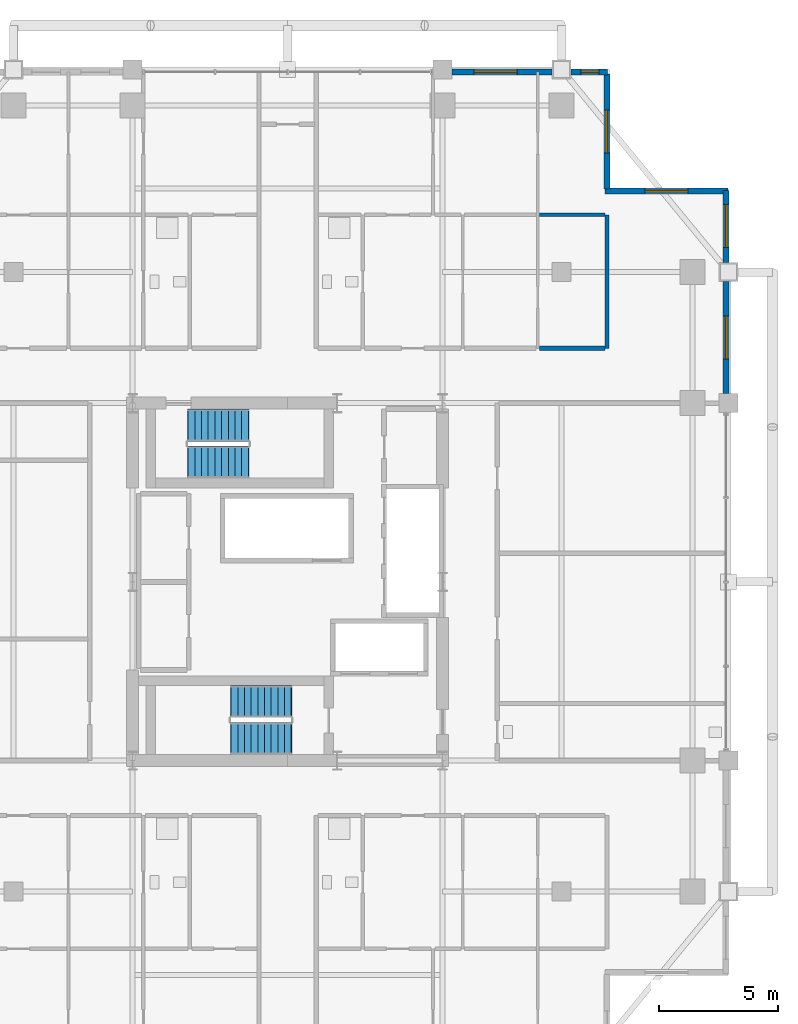
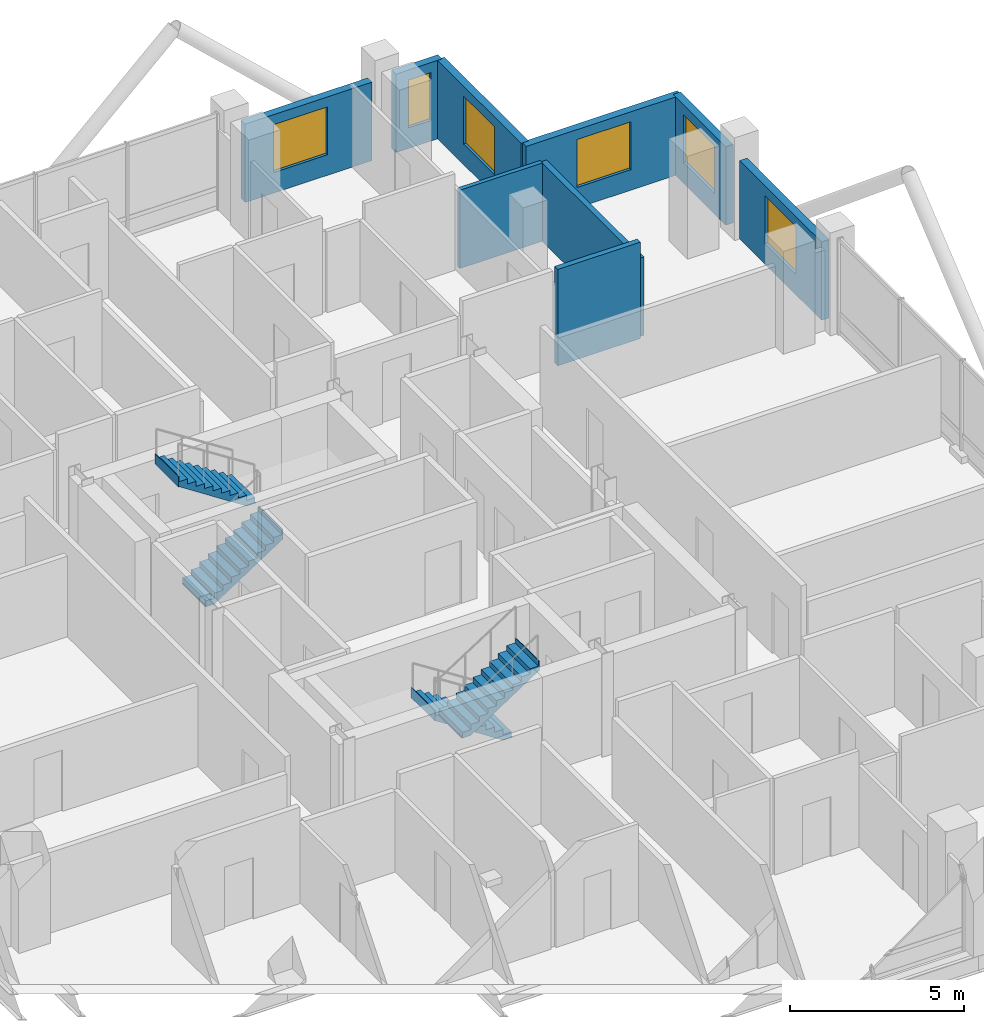
# One storey, part 24 of 26: 9 walls, 6 windows, 4 stair flights, 6 openings, 2 elements without a shape of their own.
"""IFC4 building model written with IfcOpenShell, lengths in metres."""

from ifc_helpers import new_model, si_unit, direction, frame, frame_2d, origin, place, context, subcontext, project, spatial, polyline, rectangle, outline, extrude, material, layer, layer_set, type_object, element, fill, aggregate, save


model = new_model("IFC4")

# Units and contexts
model_context = context("Model", 3, precision=1e-05, world=origin(), true_north=direction((0.0, 1.0)))
body_context = subcontext(model_context, "Body", "Model", "MODEL_VIEW")
ifc_project = project(units=[si_unit("LENGTHUNIT", "METRE"), si_unit("AREAUNIT", "SQUARE_METRE"), si_unit("VOLUMEUNIT", "CUBIC_METRE"), si_unit("PLANEANGLEUNIT", "RADIAN"), si_unit("MASSUNIT", "GRAM", prefix="KILO")], contexts=[model_context])

# Site, building, storey
site_placement = place(None, origin())
site = spatial("IfcSite", under=ifc_project, at=site_placement, CompositionType="ELEMENT")
building_placement = place(site_placement, origin())
building = spatial("IfcBuilding", under=site, at=building_placement, Name="Barlavira Tower and Art Museum", CompositionType="ELEMENT")
storey_placement = place(building_placement, frame((0.0, 0.0, 198.0)))
storey = spatial("IfcBuildingStorey", under=building, at=storey_placement, Name="L51", CompositionType="ELEMENT", Elevation=198.0)

# Walls
ifc_material_1 = material(Name="Gypsum acoustic stud partition", Category="gypsum")
ifc_layer_1 = layer(ifc_material_1, 0.179931640625, Name="Gypsum acoustic stud partition")
ifc_layer_set_1 = layer_set([ifc_layer_1], Name="Gypsum acoustic stud partition")
wall_type_1 = type_object("IfcWallType", Name="Inter-Tenancy Party Partition Wall 180", PredefinedType="PARTITIONING", material=ifc_layer_set_1)
wall_1_placement = place(storey_placement, frame((13.39990234375, 9.800048828125, 0.0), z_axis=(0.0, 0.0, 1.0), x_axis=(0.0, 1.0, 0.0)))
element("IfcWall", 1, at=wall_1_placement, inside=storey, type_object=wall_type_1, Name="L51 Partition Wall 27", PredefinedType="PARTITIONING", context=body_context, shape_type="SweptSolid", body=[
    extrude(rectangle(XDim=5.599853515625, YDim=0.179931640625, at=frame_2d((2.7998046875, 0.0))), origin(), (0.0, 0.0, 1.0), 2.748046875),
])
wall_2_placement = place(storey_placement, frame((10.580078125, 9.800048828125, 0.0), z_axis=(0.0, 0.0, 1.0), x_axis=(1.0, 0.0, 0.0)))
element("IfcWall", 2, at=wall_2_placement, inside=storey, type_object=wall_type_1, Name="L51 Partition Wall 65", PredefinedType="PARTITIONING", context=body_context, shape_type="SweptSolid", body=[
    extrude(rectangle(XDim=2.739990234375, YDim=0.179931640625, at=frame_2d((1.3701171875, 0.0))), origin(), (0.0, 0.0, 1.0), 3.3798828125),
])
ifc_layer_2 = layer(ifc_material_1, 0.139892578125, Name="Gypsum acoustic stud partition")
ifc_layer_set_2 = layer_set([ifc_layer_2], Name="Gypsum acoustic stud partition")
wall_type_2 = type_object("IfcWallType", Name="Moisture-Resistant Bathroom Partition 140", PredefinedType="PARTITIONING", material=ifc_layer_set_2)
wall_3_placement = place(storey_placement, frame((10.580078125, 15.39990234375, 0.0), z_axis=(0.0, 0.0, 1.0), x_axis=(1.0, 0.0, 0.0)))
element("IfcWall", 3, at=wall_3_placement, inside=storey, type_object=wall_type_2, Name="L51 Partition Wall 74", PredefinedType="PARTITIONING", context=body_context, shape_type="SweptSolid", body=[
    extrude(rectangle(XDim=2.739990234375, YDim=0.139892578125, at=frame_2d((1.3701171875, 0.0))), origin(), (0.0, 0.0, 1.0), 2.748046875),
])

# Wall, opening, window
ifc_material_2 = material(Name="Precast concrete C40", Category="concrete")
ifc_layer_3 = layer(ifc_material_2, 0.25, Name="Precast concrete C40")
ifc_layer_set_3 = layer_set([ifc_layer_3], Name="Precast concrete C40")
wall_type_3 = type_object("IfcWallType", Name="Notched Corner Spandrel Wall 250 Precast Concrete C40", PredefinedType="SOLIDWALL", material=ifc_layer_set_3)
wall_4_placement = place(storey_placement, frame((13.425048828125, 21.39990234375, 0.0), z_axis=(0.0, 0.0, 1.0), x_axis=(-1.0, 0.0, 0.0)))
wall_4 = element("IfcWall", 4, at=wall_4_placement, inside=storey, type_object=wall_type_3, Name="L51 Coastal Facade Pier Wall CW3-L51-N-1", PredefinedType="SOLIDWALL", context=body_context, shape_type="SweptSolid", body=[
    extrude(rectangle(XDim=1.530029296875, YDim=0.25, at=frame_2d((0.76513671875, 0.0))), origin(), (0.0, 0.0, 1.0), 2.748046875),
])
opening_1_placement = place(wall_4_placement, frame((0.363037109375, 0.0, 0.719970703125)))
opening_1 = element("IfcOpeningElement", 5, at=opening_1_placement, cuts=wall_4, Name="Opening WN-06", PredefinedType="OPENING", context=body_context, shape_type="SweptSolid", body=[
    extrude(rectangle(XDim=0.760009765625, YDim=1.679931640625, at=frame_2d((0.3798828125, 0.83984375))), frame((0.0, 0.135009765625, 0.0), z_axis=(0.0, -1.0, 0.0), x_axis=(1.0, 0.0, 0.0)), (0.0, 0.0, 1.0), 0.27001953125),
])
ifc_material_3 = material(Name="Low-iron coastal laminated glass", Category="glass")
window_type_1 = type_object("IfcWindowType", Name="Recessed Narrow Pier Window 760x1680", PartitioningType="SINGLE_PANEL", PredefinedType="WINDOW", material=ifc_material_3)
window_1_placement = place(opening_1_placement, origin())
window_1 = element("IfcWindow", 6, at=window_1_placement, inside=storey, type_object=window_type_1, Name="L51 Punched Facade Window EWP-CW3-L51-N-1-1", OverallHeight=1.679931640625, OverallWidth=0.760009765625, PartitioningType="SINGLE_PANEL", PredefinedType="WINDOW", context=body_context, shape_type="SweptSolid", body=[
    extrude(rectangle(XDim=0.760009765625, YDim=1.679931640625, at=frame_2d((0.3798828125, 0.83984375))), frame((0.0, 0.030029296875, 0.0), z_axis=(0.0, -1.0, 0.0), x_axis=(1.0, 0.0, 0.0)), (0.0, 0.0, 1.0), 0.06005859375),
])
fill(opening_1, window_1)

wall_5_placement = place(storey_placement, frame((11.10498046875, 21.39990234375, 0.0), z_axis=(0.0, 0.0, 1.0), x_axis=(-1.0, 0.0, 0.0)))
wall_5 = element("IfcWall", 7, at=wall_5_placement, inside=storey, type_object=wall_type_3, Name="L51 Coastal Facade Pier Wall CW3-L51-N-2", PredefinedType="SOLIDWALL", context=body_context, shape_type="SweptSolid", body=[
    extrude(rectangle(XDim=4.2099609375, YDim=0.25, at=frame_2d((2.10498046875, 0.0))), origin(), (0.0, 0.0, 1.0), 2.748046875),
])
opening_2_placement = place(wall_5_placement, frame((1.47509765625, 0.0, 0.719970703125)))
opening_2 = element("IfcOpeningElement", 8, at=opening_2_placement, cuts=wall_5, Name="Opening WN-01", PredefinedType="OPENING", context=body_context, shape_type="SweptSolid", body=[
    extrude(rectangle(XDim=1.800048828125, YDim=1.679931640625, at=frame_2d((0.89990234375, 0.83984375))), frame((0.0, 0.135009765625, 0.0), z_axis=(0.0, -1.0, 0.0), x_axis=(1.0, 0.0, 0.0)), (0.0, 0.0, 1.0), 0.27001953125),
])
window_type_2 = type_object("IfcWindowType", Name="Recessed Notch Corner Punch Window 1800x1680", PartitioningType="SINGLE_PANEL", PredefinedType="WINDOW", material=ifc_material_3)
window_2_placement = place(opening_2_placement, origin())
window_2 = element("IfcWindow", 9, at=window_2_placement, inside=storey, type_object=window_type_2, Name="L51 Punched Facade Window EWP-CW3-L51-N-2-1", OverallHeight=1.679931640625, OverallWidth=1.800048828125, PartitioningType="SINGLE_PANEL", PredefinedType="WINDOW", context=body_context, shape_type="SweptSolid", body=[
    extrude(rectangle(XDim=1.800048828125, YDim=1.679931640625, at=frame_2d((0.89990234375, 0.83984375))), frame((0.0, 0.030029296875, 0.0), z_axis=(0.0, -1.0, 0.0), x_axis=(1.0, 0.0, 0.0)), (0.0, 0.0, 1.0), 0.06005859375),
])
fill(opening_2, window_2)

wall_6_placement = place(storey_placement, frame((18.39990234375, 7.89501953125, 0.0), z_axis=(0.0, 0.0, 1.0), x_axis=(0.0, 1.0, 0.0)))
wall_6 = element("IfcWall", 10, at=wall_6_placement, inside=storey, type_object=wall_type_3, Name="L51 Coastal Facade Pier Wall CW3-L51-E-4", PredefinedType="SOLIDWALL", context=body_context, shape_type="SweptSolid", body=[
    extrude(rectangle(XDim=4.7099609375, YDim=0.25, at=frame_2d((2.35498046875, 0.0))), origin(), (0.0, 0.0, 1.0), 2.748046875),
])
opening_3_placement = place(wall_6_placement, frame((1.455078125, 0.0, 0.719970703125)))
opening_3 = element("IfcOpeningElement", 11, at=opening_3_placement, cuts=wall_6, Name="Opening WN-01", PredefinedType="OPENING", context=body_context, shape_type="SweptSolid", body=[
    extrude(rectangle(XDim=1.800048828125, YDim=1.679931640625, at=frame_2d((0.89990234375, 0.83984375))), frame((0.0, 0.135009765625, 0.0), z_axis=(0.0, -1.0, 0.0), x_axis=(1.0, 0.0, 0.0)), (0.0, 0.0, 1.0), 0.27001953125),
])
window_3_placement = place(opening_3_placement, origin())
window_3 = element("IfcWindow", 12, at=window_3_placement, inside=storey, type_object=window_type_2, Name="L51 Punched Facade Window EWP-CW3-L51-E-4-1", OverallHeight=1.679931640625, OverallWidth=1.800048828125, PartitioningType="SINGLE_PANEL", PredefinedType="WINDOW", context=body_context, shape_type="SweptSolid", body=[
    extrude(rectangle(XDim=1.800048828125, YDim=1.679931640625, at=frame_2d((0.89990234375, 0.83984375))), frame((0.0, 0.030029296875, 0.0), z_axis=(0.0, -1.0, 0.0), x_axis=(1.0, 0.0, 0.0)), (0.0, 0.0, 1.0), 0.06005859375),
])
fill(opening_3, window_3)

wall_7_placement = place(storey_placement, frame((18.39990234375, 13.39501953125, 0.0), z_axis=(0.0, 0.0, 1.0), x_axis=(0.0, 1.0, 0.0)))
wall_7 = element("IfcWall", 13, at=wall_7_placement, inside=storey, type_object=wall_type_3, Name="L51 Coastal Facade Pier Wall CW3-L51-E-5", PredefinedType="SOLIDWALL", context=body_context, shape_type="SweptSolid", body=[
    extrude(rectangle(XDim=3.030029296875, YDim=0.25, at=frame_2d((1.51513671875, 0.0))), origin(), (0.0, 0.0, 1.0), 2.748046875),
])
opening_4_placement = place(wall_7_placement, frame((0.637939453125, 0.0, 0.719970703125)))
opening_4 = element("IfcOpeningElement", 14, at=opening_4_placement, cuts=wall_7, Name="Opening WN-01", PredefinedType="OPENING", context=body_context, shape_type="SweptSolid", body=[
    extrude(rectangle(XDim=1.800048828125, YDim=1.679931640625, at=frame_2d((0.89990234375, 0.83984375))), frame((0.0, 0.135009765625, 0.0), z_axis=(0.0, -1.0, 0.0), x_axis=(1.0, 0.0, 0.0)), (0.0, 0.0, 1.0), 0.27001953125),
])
window_4_placement = place(opening_4_placement, origin())
window_4 = element("IfcWindow", 15, at=window_4_placement, inside=storey, type_object=window_type_2, Name="L51 Punched Facade Window EWP-CW3-L51-E-5-1", OverallHeight=1.679931640625, OverallWidth=1.800048828125, PartitioningType="SINGLE_PANEL", PredefinedType="WINDOW", context=body_context, shape_type="SweptSolid", body=[
    extrude(rectangle(XDim=1.800048828125, YDim=1.679931640625, at=frame_2d((0.89990234375, 0.83984375))), frame((0.0, 0.030029296875, 0.0), z_axis=(0.0, -1.0, 0.0), x_axis=(1.0, 0.0, 0.0)), (0.0, 0.0, 1.0), 0.06005859375),
])
fill(opening_4, window_4)

wall_8_placement = place(storey_placement, frame((18.47998046875, 16.39990234375, 0.0), z_axis=(0.0, 0.0, 1.0), x_axis=(-1.0, 0.0, 0.0)))
wall_8 = element("IfcWall", 16, at=wall_8_placement, inside=storey, type_object=wall_type_3, Name="L51 Notch Corner Wall NE1", PredefinedType="SOLIDWALL", context=body_context, shape_type="SweptSolid", body=[
    extrude(rectangle(XDim=5.159912109375, YDim=0.25, at=frame_2d((2.580078125, 0.0))), origin(), (0.0, 0.0, 1.0), 2.748046875),
])
opening_5_placement = place(wall_8_placement, frame((1.679931640625, 0.0, 0.719970703125)))
opening_5 = element("IfcOpeningElement", 17, at=opening_5_placement, cuts=wall_8, Name="Opening WN-01", PredefinedType="OPENING", context=body_context, shape_type="SweptSolid", body=[
    extrude(rectangle(XDim=1.800048828125, YDim=1.679931640625, at=frame_2d((0.89990234375, 0.83984375))), frame((0.0, 0.135009765625, 0.0), z_axis=(0.0, -1.0, 0.0), x_axis=(1.0, 0.0, 0.0)), (0.0, 0.0, 1.0), 0.27001953125),
])
window_5_placement = place(opening_5_placement, origin())
window_5 = element("IfcWindow", 18, at=window_5_placement, inside=storey, type_object=window_type_2, Name="L51 Punched Facade Window EW-NTC-L51-NE1-1", OverallHeight=1.679931640625, OverallWidth=1.800048828125, PartitioningType="SINGLE_PANEL", PredefinedType="WINDOW", context=body_context, shape_type="SweptSolid", body=[
    extrude(rectangle(XDim=1.800048828125, YDim=1.679931640625, at=frame_2d((0.89990234375, 0.83984375))), frame((0.0, 0.030029296875, 0.0), z_axis=(0.0, -1.0, 0.0), x_axis=(1.0, 0.0, 0.0)), (0.0, 0.0, 1.0), 0.06005859375),
])
fill(opening_5, window_5)

wall_9_placement = place(storey_placement, frame((13.39990234375, 16.47998046875, 0.0), z_axis=(0.0, 0.0, 1.0), x_axis=(0.0, 1.0, 0.0)))
wall_9 = element("IfcWall", 19, at=wall_9_placement, inside=storey, type_object=wall_type_3, Name="L51 Notch Corner Wall NE2", PredefinedType="SOLIDWALL", context=body_context, shape_type="SweptSolid", body=[
    extrude(rectangle(XDim=4.840087890625, YDim=0.25, at=frame_2d((2.419921875, 0.0))), origin(), (0.0, 0.0, 1.0), 2.748046875),
])
opening_6_placement = place(wall_9_placement, frame((1.52001953125, 0.0, 0.719970703125)))
opening_6 = element("IfcOpeningElement", 20, at=opening_6_placement, cuts=wall_9, Name="Opening WN-01", PredefinedType="OPENING", context=body_context, shape_type="SweptSolid", body=[
    extrude(rectangle(XDim=1.800048828125, YDim=1.679931640625, at=frame_2d((0.89990234375, 0.83984375))), frame((0.0, 0.135009765625, 0.0), z_axis=(0.0, -1.0, 0.0), x_axis=(1.0, 0.0, 0.0)), (0.0, 0.0, 1.0), 0.27001953125),
])
window_6_placement = place(opening_6_placement, origin())
window_6 = element("IfcWindow", 21, at=window_6_placement, inside=storey, type_object=window_type_2, Name="L51 Punched Facade Window EW-NTC-L51-NE2-1", OverallHeight=1.679931640625, OverallWidth=1.800048828125, PartitioningType="SINGLE_PANEL", PredefinedType="WINDOW", context=body_context, shape_type="SweptSolid", body=[
    extrude(rectangle(XDim=1.800048828125, YDim=1.679931640625, at=frame_2d((0.89990234375, 0.83984375))), frame((0.0, 0.030029296875, 0.0), z_axis=(0.0, -1.0, 0.0), x_axis=(1.0, 0.0, 0.0)), (0.0, 0.0, 1.0), 0.06005859375),
])
fill(opening_6, window_6)

# Stair, stair flights
ifc_material_4 = material(Name="Concrete C45", Category="concrete")
stair_type_1 = type_object("IfcStairType", Name="Tower North Dog-Leg Exit Stair Assembly Concrete C45", PredefinedType="TWO_QUARTER_TURN_STAIR", material=ifc_material_4)
stair_1_placement = place(storey_placement, origin())
stair_1 = element("IfcStair", 22, at=stair_1_placement, inside=storey, type_object=stair_type_1, Name="L51 Tower North Exit Stair ST-T2", PredefinedType="TWO_QUARTER_TURN_STAIR")
ifc_material_5 = material(Name="Precast concrete C45", Category="concrete")
stair_flight_type_1 = type_object("IfcStairFlightType", Name="Tower North Dog-Leg Exit Stair Precast Flight 1350 Concrete C45", PredefinedType="STRAIGHT", material=ifc_material_5)
stair_flight_1_placement = place(storey_placement, frame((-4.169921875, 5.02490234375, 0.0), z_axis=(0.0, 0.0, 1.0), x_axis=(1.0, 0.0, 0.0)))
stair_flight_1 = element("IfcStairFlight", 23, at=stair_flight_1_placement, type_object=stair_flight_type_1, Name="ST-T2 flight 1", NumberOfRisers=10, NumberOfTreads=9, PredefinedType="STRAIGHT", RiserHeight=0.18, TreadLength=0.28, context=body_context, shape_type="SweptSolid", body=[
    extrude(outline(polyline([(-0.02490234375, 0.0), (0.0, 0.0), (0.0, 0.179931640625), (0.280029296875, 0.179931640625), (0.280029296875, 0.360107421875), (0.56005859375, 0.360107421875), (0.56005859375, 0.5400390625), (0.840087890625, 0.5400390625), (0.840087890625, 0.719970703125), (1.1201171875, 0.719970703125), (1.1201171875, 0.89990234375), (1.39990234375, 0.89990234375), (1.39990234375, 1.080078125), (1.679931640625, 1.080078125), (1.679931640625, 1.260009765625), (1.9599609375, 1.260009765625), (1.9599609375, 1.43994140625), (2.239990234375, 1.43994140625), (2.239990234375, 1.6201171875), (2.52001953125, 1.6201171875), (2.52001953125, 1.800048828125), (2.544921875, 1.800048828125), (2.544921875, 1.44189453125), (2.52001953125, 1.44189453125), (0.277099609375, -0.02490234375), (-0.02490234375, -0.02490234375), (-0.02490234375, 0.0)])), frame((0.0, 0.675048828125, 0.0), z_axis=(0.0, -1.0, 0.0), x_axis=(1.0, 0.0, 0.0)), (0.0, 0.0, 1.0), 1.35009765625),
])
stair_flight_2_placement = place(storey_placement, frame((-1.64990234375, 6.574951171875, 1.800048828125), z_axis=(0.0, 0.0, 1.0), x_axis=(-1.0, 0.0, 0.0)))
stair_flight_2 = element("IfcStairFlight", 24, at=stair_flight_2_placement, type_object=stair_flight_type_1, Name="ST-T2 flight 2", NumberOfRisers=10, NumberOfTreads=9, PredefinedType="STRAIGHT", RiserHeight=0.18, TreadLength=0.28, context=body_context, shape_type="SweptSolid", body=[
    extrude(outline(polyline([(-0.02490234375, 0.0), (0.0, 0.0), (0.0, 0.179931640625), (0.280029296875, 0.179931640625), (0.280029296875, 0.360107421875), (0.56005859375, 0.360107421875), (0.56005859375, 0.5400390625), (0.840087890625, 0.5400390625), (0.840087890625, 0.719970703125), (1.1201171875, 0.719970703125), (1.1201171875, 0.89990234375), (1.39990234375, 0.89990234375), (1.39990234375, 1.080078125), (1.679931640625, 1.080078125), (1.679931640625, 1.260009765625), (1.9599609375, 1.260009765625), (1.9599609375, 1.43994140625), (2.239990234375, 1.43994140625), (2.239990234375, 1.6201171875), (2.52001953125, 1.6201171875), (2.52001953125, 1.800048828125), (2.544921875, 1.800048828125), (2.544921875, 1.44189453125), (2.52001953125, 1.44189453125), (0.277099609375, -0.02490234375), (-0.02490234375, -0.02490234375), (-0.02490234375, 0.0)])), frame((0.0, 0.675048828125, 0.0), z_axis=(0.0, -1.0, 0.0), x_axis=(1.0, 0.0, 0.0)), (0.0, 0.0, 1.0), 1.35009765625),
])
aggregate(stair_1, [stair_flight_1, stair_flight_2])

stair_type_2 = type_object("IfcStairType", Name="Tower South Dog-Leg Exit Stair Assembly Concrete C45", PredefinedType="TWO_QUARTER_TURN_STAIR", material=ifc_material_4)
stair_2_placement = place(storey_placement, origin())
stair_2 = element("IfcStair", 25, at=stair_2_placement, inside=storey, type_object=stair_type_2, Name="L51 Tower South Exit Stair ST-T1", PredefinedType="TWO_QUARTER_TURN_STAIR")
stair_flight_type_2 = type_object("IfcStairFlightType", Name="Tower South Dog-Leg Exit Stair Precast Flight 1350 Concrete C45", PredefinedType="STRAIGHT", material=ifc_material_5)
stair_flight_3_placement = place(storey_placement, frame((0.14990234375, -5.02490234375, 0.0), z_axis=(0.0, 0.0, 1.0), x_axis=(-1.0, 0.0, 0.0)))
stair_flight_3 = element("IfcStairFlight", 26, at=stair_flight_3_placement, type_object=stair_flight_type_2, Name="ST-T1 flight 1", NumberOfRisers=10, NumberOfTreads=9, PredefinedType="STRAIGHT", RiserHeight=0.18, TreadLength=0.28, context=body_context, shape_type="SweptSolid", body=[
    extrude(outline(polyline([(-0.02490234375, 0.0), (0.0, 0.0), (0.0, 0.179931640625), (0.280029296875, 0.179931640625), (0.280029296875, 0.360107421875), (0.56005859375, 0.360107421875), (0.56005859375, 0.5400390625), (0.840087890625, 0.5400390625), (0.840087890625, 0.719970703125), (1.1201171875, 0.719970703125), (1.1201171875, 0.89990234375), (1.39990234375, 0.89990234375), (1.39990234375, 1.080078125), (1.679931640625, 1.080078125), (1.679931640625, 1.260009765625), (1.9599609375, 1.260009765625), (1.9599609375, 1.43994140625), (2.239990234375, 1.43994140625), (2.239990234375, 1.6201171875), (2.52001953125, 1.6201171875), (2.52001953125, 1.800048828125), (2.544921875, 1.800048828125), (2.544921875, 1.44189453125), (2.52001953125, 1.44189453125), (0.277099609375, -0.02490234375), (-0.02490234375, -0.02490234375), (-0.02490234375, 0.0)])), frame((0.0, 0.675048828125, 0.0), z_axis=(0.0, -1.0, 0.0), x_axis=(1.0, 0.0, 0.0)), (0.0, 0.0, 1.0), 1.35009765625),
])
stair_flight_4_placement = place(storey_placement, frame((-2.3701171875, -6.574951171875, 1.800048828125), z_axis=(0.0, 0.0, 1.0), x_axis=(1.0, 0.0, 0.0)))
stair_flight_4 = element("IfcStairFlight", 27, at=stair_flight_4_placement, type_object=stair_flight_type_2, Name="ST-T1 flight 2", NumberOfRisers=10, NumberOfTreads=9, PredefinedType="STRAIGHT", RiserHeight=0.18, TreadLength=0.28, context=body_context, shape_type="SweptSolid", body=[
    extrude(outline(polyline([(-0.02490234375, 0.0), (0.0, 0.0), (0.0, 0.179931640625), (0.280029296875, 0.179931640625), (0.280029296875, 0.360107421875), (0.56005859375, 0.360107421875), (0.56005859375, 0.5400390625), (0.840087890625, 0.5400390625), (0.840087890625, 0.719970703125), (1.1201171875, 0.719970703125), (1.1201171875, 0.89990234375), (1.39990234375, 0.89990234375), (1.39990234375, 1.080078125), (1.679931640625, 1.080078125), (1.679931640625, 1.260009765625), (1.9599609375, 1.260009765625), (1.9599609375, 1.43994140625), (2.239990234375, 1.43994140625), (2.239990234375, 1.6201171875), (2.52001953125, 1.6201171875), (2.52001953125, 1.800048828125), (2.544921875, 1.800048828125), (2.544921875, 1.44189453125), (2.52001953125, 1.44189453125), (0.277099609375, -0.02490234375), (-0.02490234375, -0.02490234375), (-0.02490234375, 0.0)])), frame((0.0, 0.675048828125, 0.0), z_axis=(0.0, -1.0, 0.0), x_axis=(1.0, 0.0, 0.0)), (0.0, 0.0, 1.0), 1.35009765625),
])
aggregate(stair_2, [stair_flight_3, stair_flight_4])

save(model, "model.ifc")
